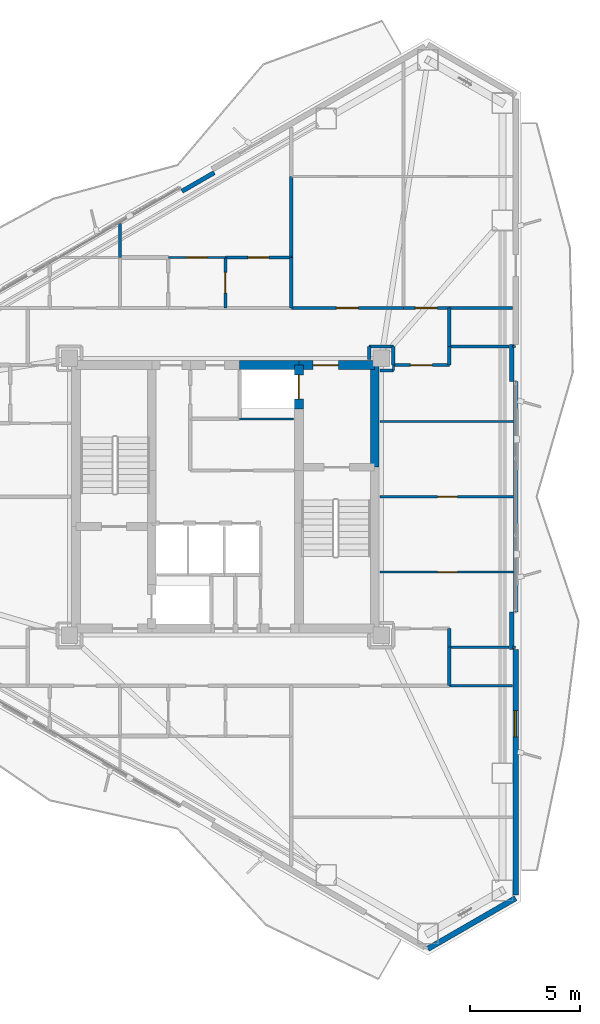
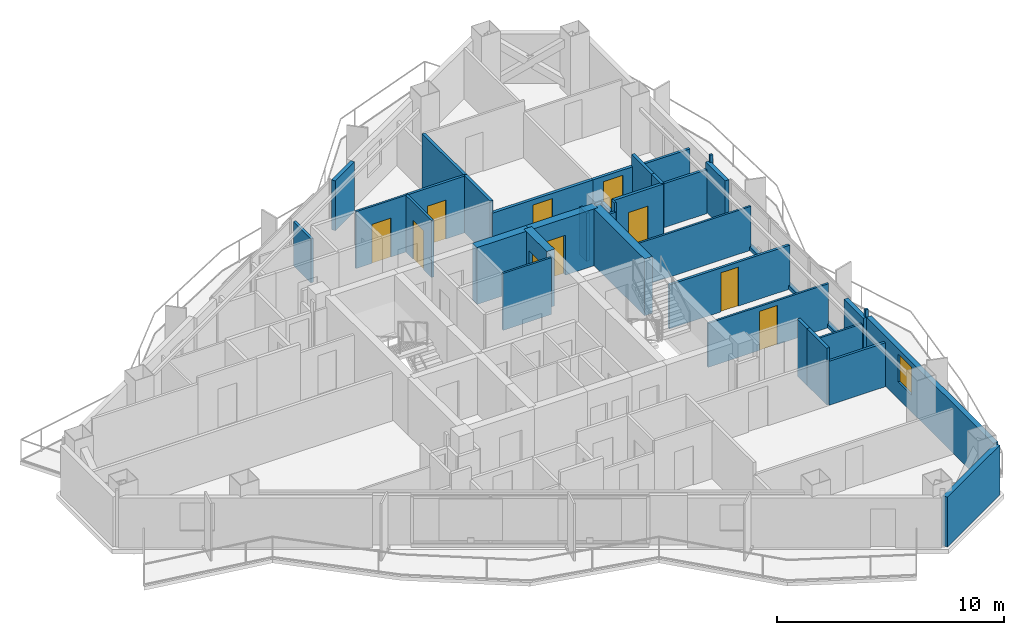
# One storey, part 15 of 18: 38 walls, 10 doors, 1 window, 11 openings.
"""IFC4 building model written with IfcOpenShell, lengths in metres."""

from ifc_helpers import new_model, si_unit, direction, frame, frame_2d, origin, place, context, subcontext, project, spatial, rectangle, extrude, material, layer, layer_set, type_object, element, fill, save


model = new_model("IFC4")

# Units and contexts
model_context = context("Model", 3, precision=1e-05, world=origin(), true_north=direction((0.0, 1.0)))
body_context = subcontext(model_context, "Body", "Model", "MODEL_VIEW")
ifc_project = project(units=[si_unit("LENGTHUNIT", "METRE"), si_unit("AREAUNIT", "SQUARE_METRE"), si_unit("VOLUMEUNIT", "CUBIC_METRE"), si_unit("PLANEANGLEUNIT", "RADIAN"), si_unit("MASSUNIT", "GRAM", prefix="KILO")], contexts=[model_context])

# Site, building, storey
site_placement = place(None, origin())
site = spatial("IfcSite", under=ifc_project, at=site_placement, CompositionType="ELEMENT")
building_placement = place(site_placement, origin())
building = spatial("IfcBuilding", under=site, at=building_placement, Name="Mersakhor Tower and Convention Hall", CompositionType="ELEMENT")
storey_placement = place(building_placement, frame((0.0, 0.0, 154.199951171875)))
storey = spatial("IfcBuildingStorey", under=building, at=storey_placement, Name="L43", CompositionType="ELEMENT", Elevation=154.199951171875)

# Wall
ifc_material_1 = material(Name="Precast concrete C40/50", Category="concrete")
ifc_layer_1 = layer(ifc_material_1, 0.25)
ifc_layer_set_1 = layer_set([ifc_layer_1], Name="Precast concrete C40/50")
wall_type_1 = type_object("IfcWallType", Name="WL-EXT-250", PredefinedType="SOLIDWALL", material=ifc_layer_set_1)
wall_1_placement = place(storey_placement, frame((42.21923828125, 8.470947265625, 0.0), z_axis=(0.0, 0.0, 1.0), x_axis=(-0.866035021055, -0.499983342029, 0.0)))
element("IfcWall", 1, at=wall_1_placement, inside=storey, type_object=wall_type_1, Name="L43 Chamfer Braced Spandrel Wall C2", PredefinedType="SOLIDWALL", context=body_context, shape_type="SweptSolid", body=[
    extrude(rectangle(XDim=4.617431640625, YDim=0.25, at=frame_2d((2.30859375, 0.0))), origin(), (0.0, 0.0, 1.0), 2.679931640625),
])

# Wall, opening, window
wall_2_placement = place(storey_placement, frame((42.21923828125, 19.806884765625, 0.0), z_axis=(0.0, 0.0, 1.0), x_axis=(0.0, -1.0, 0.0)))
wall_2 = element("IfcWall", 2, at=wall_2_placement, inside=storey, type_object=wall_type_1, Name="L43 Exterior Facade Wall F2-B3", PredefinedType="SOLIDWALL", context=body_context, shape_type="SweptSolid", body=[
    extrude(rectangle(XDim=11.185791015625, YDim=0.25, at=frame_2d((5.5927734375, 0.0))), origin(), (0.0, 0.0, 1.0), 2.679931640625),
])
opening_1_placement = place(wall_2_placement, frame((2.7958984375, 0.0, 0.89990234375)))
opening_1 = element("IfcOpeningElement", 3, at=opening_1_placement, cuts=wall_2, Name="Opening W-01", PredefinedType="OPENING", context=body_context, shape_type="SweptSolid", body=[
    extrude(rectangle(XDim=1.199951171875, YDim=1.5, at=frame_2d((0.60009765625, 0.75))), frame((0.0, 0.135009765625, 0.0), z_axis=(0.0, -1.0, 0.0), x_axis=(1.0, 0.0, 0.0)), (0.0, 0.0, 1.0), 0.27001953125),
])
ifc_material_2 = material(Name="Dark solar low-E glazed aluminium window", Category="aluminium")
window_type = type_object("IfcWindowType", Name="WN-RES-120x150", PartitioningType="SINGLE_PANEL", PredefinedType="WINDOW", material=ifc_material_2)
window_placement = place(opening_1_placement, origin())
window = element("IfcWindow", 4, at=window_placement, inside=storey, type_object=window_type, Name="L43 Facade Punched Window F2-B3", OverallHeight=1.5, OverallWidth=1.199951171875, PartitioningType="SINGLE_PANEL", PredefinedType="WINDOW", context=body_context, shape_type="SweptSolid", body=[
    extrude(rectangle(XDim=1.199951171875, YDim=1.5, at=frame_2d((0.60009765625, 0.75))), frame((0.0, 0.030029296875, 0.0), z_axis=(0.0, -1.0, 0.0), x_axis=(1.0, 0.0, 0.0)), (0.0, 0.0, 1.0), 0.06005859375),
])
fill(opening_1, window)

# Walls
ifc_material_3 = material(Name="Precast concrete C40/50", Category="concrete")
ifc_layer_2 = layer(ifc_material_3, 0.199951171875)
ifc_layer_set_2 = layer_set([ifc_layer_2], Name="Precast concrete C40/50")
wall_type_2 = type_object("IfcWallType", Name="WL-PAR-200", PredefinedType="PARAPET", material=ifc_layer_set_2)
wall_3_placement = place(storey_placement, frame((27.02099609375, 40.663818359375, 0.0), z_axis=(0.0, 0.0, 1.0), x_axis=(0.86605165483, 0.499954529098, 0.0)))
element("IfcWall", 5, at=wall_3_placement, inside=storey, type_object=wall_type_2, Name="L43 Column Pier Cladding Wall F1-C2", PredefinedType="PARAPET", context=body_context, shape_type="SweptSolid", body=[
    extrude(rectangle(XDim=1.699951171875, YDim=0.199951171875, at=frame_2d((0.85009765625, 0.0))), origin(), (0.0, 0.0, 1.0), 2.679931640625),
])
wall_4_placement = place(storey_placement, frame((42.21923828125, 31.992919921875, 0.0), z_axis=(0.0, 0.0, 1.0), x_axis=(0.0, -1.0, 0.0)))
element("IfcWall", 6, at=wall_4_placement, inside=storey, type_object=wall_type_2, Name="L43 Curtain Wall Upstand Sill F2-B2", PredefinedType="PARAPET", context=body_context, shape_type="SweptSolid", body=[
    extrude(rectangle(XDim=10.48583984375, YDim=0.199951171875, at=frame_2d((5.242919921875, 0.0))), origin(), (0.0, 0.0, 1.0), 0.199951171875),
])
for number, where, z_axis, x_axis, name in (
    (7, (42.039306640625, 33.693115234375, 0.0), (0.0, 0.0, 1.0), (0.0, -1.0, 0.0), "L43 Column Pier Cladding Wall F2-C1"),
    (8, (42.039306640625, 21.507080078125, 0.0), (0.0, 0.0, 1.0), (0.0, -1.0, 0.0), "L43 Column Pier Cladding Wall F2-C2"),
):
    element("IfcWall", number, at=place(storey_placement, frame(where, z_axis=z_axis, x_axis=x_axis)), inside=storey, type_object=wall_type_2, Name=name, PredefinedType="PARAPET", context=body_context, shape_type="SweptSolid", body=[
        extrude(rectangle(XDim=1.7001953125, YDim=0.199951171875, at=frame_2d((0.85009765625, 0.0))), origin(), (0.0, 0.0, 1.0), 2.679931640625),
    ])
ifc_material_4 = material(Name="Lightweight gypsum partition", Category="other")
ifc_layer_3 = layer(ifc_material_4, 0.10009765625)
ifc_layer_set_3 = layer_set([ifc_layer_3], Name="Lightweight gypsum partition")
wall_type_3 = type_object("IfcWallType", Name="WL-PRT-100", PredefinedType="PARTITIONING", material=ifc_layer_set_3)
wall_5_placement = place(storey_placement, frame((32.10009765625, 30.300048828125, 0.0), z_axis=(0.0, 0.0, 1.0), x_axis=(-1.0, 0.0, 0.0)))
element("IfcWall", 9, at=wall_5_placement, inside=storey, type_object=wall_type_3, Name="L43 Interior Partition Wall P-004", PredefinedType="PARTITIONING", context=body_context, shape_type="SweptSolid", body=[
    extrude(rectangle(XDim=2.4501953125, YDim=0.10009765625, at=frame_2d((1.22509765625, 0.0))), origin(), (0.0, 0.0, 1.0), 3.06005859375),
])

# Wall, opening, door
wall_6_placement = place(storey_placement, frame((26.39990234375, 37.64990234375, 0.0), z_axis=(0.0, 0.0, 1.0), x_axis=(1.0, 0.0, 0.0)))
wall_6 = element("IfcWall", 10, at=wall_6_placement, inside=storey, type_object=wall_type_3, Name="L43 Interior Partition Wall P-052", PredefinedType="PARTITIONING", context=body_context, shape_type="SweptSolid", body=[
    extrude(rectangle(XDim=2.60009765625, YDim=0.10009765625, at=frame_2d((1.300048828125, 0.0))), origin(), (0.0, 0.0, 1.0), 3.06005859375),
])
opening_2_placement = place(wall_6_placement, frame((0.824951171875, 0.0, 0.0)))
opening_2 = element("IfcOpeningElement", 11, at=opening_2_placement, cuts=wall_6, Name="Opening RD-01", PredefinedType="OPENING", context=body_context, shape_type="SweptSolid", body=[
    extrude(rectangle(XDim=0.949951171875, YDim=2.10009765625, at=frame_2d((0.47509765625, 1.050048828125))), frame((0.0, 0.06005859375, 0.0), z_axis=(0.0, -1.0, 0.0), x_axis=(1.0, 0.0, 0.0)), (0.0, 0.0, 1.0), 0.1201171875),
])
ifc_material_5 = material(Name="Solid-core hardwood leaf in painted steel frame", Category="steel")
door_type_1 = type_object("IfcDoorType", Name="DR-INT-RM-095x210", OperationType="NOTDEFINED", PredefinedType="DOOR", material=ifc_material_5)
door_1_placement = place(opening_2_placement, origin())
door_1 = element("IfcDoor", 12, at=door_1_placement, inside=storey, type_object=door_type_1, Name="L43 L43 Flat N2 Apartment Hall to L43 Flat N2 Studio Living and Sleeping Room Door", OperationType="SINGLE_SWING_RIGHT", OverallHeight=2.10009765625, OverallWidth=0.949951171875, PredefinedType="DOOR", context=body_context, shape_type="SweptSolid", body=[
    extrude(rectangle(XDim=0.949951171875, YDim=2.10009765625, at=frame_2d((0.47509765625, 1.050048828125))), frame((0.0, 0.02490234375, 0.0), z_axis=(0.0, -1.0, 0.0), x_axis=(1.0, 0.0, 0.0)), (0.0, 0.0, 1.0), 0.050048828125),
])
fill(opening_2, door_1)

wall_7_placement = place(storey_placement, frame((36.050048828125, 23.320068359375, 0.0), z_axis=(0.0, 0.0, 1.0), x_axis=(1.0, 0.0, 0.0)))
wall_7 = element("IfcWall", 13, at=wall_7_placement, inside=storey, type_object=wall_type_3, Name="L43 Interior Partition Wall P-098", PredefinedType="PARTITIONING", context=body_context, shape_type="SweptSolid", body=[
    extrude(rectangle(XDim=6.131103515625, YDim=0.10009765625, at=frame_2d((3.0654296875, 0.0))), origin(), (0.0, 0.0, 1.0), 2.364990234375),
])
opening_3_placement = place(wall_7_placement, frame((2.615478515625, 0.0, 0.0)))
opening_3 = element("IfcOpeningElement", 14, at=opening_3_placement, cuts=wall_7, Name="Opening WD-01", PredefinedType="OPENING", context=body_context, shape_type="SweptSolid", body=[
    extrude(rectangle(XDim=0.89990234375, YDim=2.10009765625, at=frame_2d((0.449951171875, 1.050048828125))), frame((0.0, 0.06005859375, 0.0), z_axis=(0.0, -1.0, 0.0), x_axis=(1.0, 0.0, 0.0)), (0.0, 0.0, 1.0), 0.1201171875),
])
ifc_material_6 = material(Name="Solid-core hardwood leaf in painted steel frame", Category="steel")
door_type_2 = type_object("IfcDoorType", Name="DR-INT-WET-090x210", OperationType="NOTDEFINED", PredefinedType="DOOR", material=ifc_material_6)
door_2_placement = place(opening_3_placement, origin())
door_2 = element("IfcDoor", 15, at=door_2_placement, inside=storey, type_object=door_type_2, Name="L43 L43 East Wing Shared Study Room to L43 East Wing Shared Study Room Annex Door", OperationType="SINGLE_SWING_RIGHT", OverallHeight=2.10009765625, OverallWidth=0.89990234375, PredefinedType="DOOR", context=body_context, shape_type="SweptSolid", body=[
    extrude(rectangle(XDim=0.89990234375, YDim=2.10009765625, at=frame_2d((0.449951171875, 1.050048828125))), frame((0.0, 0.02490234375, 0.0), z_axis=(0.0, -1.0, 0.0), x_axis=(1.0, 0.0, 0.0)), (0.0, 0.0, 1.0), 0.050048828125),
])
fill(opening_3, door_2)

# Walls
wall_8_placement = place(storey_placement, frame((41.915283203125, 19.89990234375, 0.0), z_axis=(0.0, 0.0, 1.0), x_axis=(-1.0, 0.0, 0.0)))
element("IfcWall", 16, at=wall_8_placement, inside=storey, type_object=wall_type_3, Name="L43 Interior Partition Wall P-100", PredefinedType="PARTITIONING", context=body_context, shape_type="SweptSolid", body=[
    extrude(rectangle(XDim=2.71533203125, YDim=0.10009765625, at=frame_2d((1.357666015625, 0.0))), origin(), (0.0, 0.0, 1.0), 2.364990234375),
])
wall_9_placement = place(storey_placement, frame((36.050048828125, 30.179931640625, 0.0), z_axis=(0.0, 0.0, 1.0), x_axis=(1.0, 0.0, 0.0)))
element("IfcWall", 17, at=wall_9_placement, inside=storey, type_object=wall_type_3, Name="L43 Interior Partition Wall P-102", PredefinedType="PARTITIONING", context=body_context, shape_type="SweptSolid", body=[
    extrude(rectangle(XDim=6.131103515625, YDim=0.10009765625, at=frame_2d((3.0654296875, 0.0))), origin(), (0.0, 0.0, 1.0), 2.364990234375),
])
wall_10_placement = place(storey_placement, frame((42.07421875, 33.60009765625, 0.0), z_axis=(0.0, 0.0, 1.0), x_axis=(1.0, 0.0, 0.0)))
element("IfcWall", 18, at=wall_10_placement, inside=storey, type_object=wall_type_3, Name="L43 Interior Partition Wall P-104", PredefinedType="PARTITIONING", context=body_context, shape_type="SweptSolid", body=[
    extrude(rectangle(XDim=0.144775390625, YDim=0.10009765625, at=frame_2d((0.072265625, 0.0))), origin(), (0.0, 0.0, 1.0), 3.06005859375),
])
wall_11_placement = place(storey_placement, frame((36.64990234375, 32.5, 0.0), z_axis=(0.0, 0.0, 1.0), x_axis=(0.0, 1.0, 0.0)))
element("IfcWall", 19, at=wall_11_placement, inside=storey, type_object=wall_type_3, Name="L43 Interior Partition Wall P-106", PredefinedType="PARTITIONING", context=body_context, shape_type="SweptSolid", body=[
    extrude(rectangle(XDim=0.25, YDim=0.10009765625, at=frame_2d((0.125, 0.0))), origin(), (0.0, 0.0, 1.0), 3.06005859375),
])

# Wall, opening, door
ifc_material_7 = material(Name="Gypsum board acoustic partition", Category="other")
ifc_layer_4 = layer(ifc_material_7, 0.125)
ifc_layer_set_4 = layer_set([ifc_layer_4], Name="Gypsum board acoustic partition")
wall_type_4 = type_object("IfcWallType", Name="WL-PRT-125", PredefinedType="PARTITIONING", material=ifc_layer_set_4)
wall_12_placement = place(storey_placement, frame((29.0, 37.64990234375, 0.0), z_axis=(0.0, 0.0, 1.0), x_axis=(0.0, -1.0, 0.0)))
wall_12 = element("IfcWall", 20, at=wall_12_placement, inside=storey, type_object=wall_type_4, Name="L43 Interior Partition Wall P-053", PredefinedType="PARTITIONING", context=body_context, shape_type="SweptSolid", body=[
    extrude(rectangle(XDim=2.2998046875, YDim=0.125, at=frame_2d((1.14990234375, 0.0))), origin(), (0.0, 0.0, 1.0), 3.06005859375),
])
opening_4_placement = place(wall_12_placement, frame((0.675048828125, 0.0, 0.0)))
opening_4 = element("IfcOpeningElement", 21, at=opening_4_placement, cuts=wall_12, Name="Opening RD-01", PredefinedType="OPENING", context=body_context, shape_type="SweptSolid", body=[
    extrude(rectangle(XDim=0.949951171875, YDim=2.10009765625, at=frame_2d((0.47509765625, 1.050048828125))), frame((0.0, 0.072509765625, 0.0), z_axis=(0.0, -1.0, 0.0), x_axis=(1.0, 0.0, 0.0)), (0.0, 0.0, 1.0), 0.14501953125),
])
door_3_placement = place(opening_4_placement, origin())
door_3 = element("IfcDoor", 22, at=door_3_placement, inside=storey, type_object=door_type_1, Name="L43 L43 Flat N2 Apartment Hall to L43 Flat N2 Kitchen Door", OperationType="SINGLE_SWING_LEFT", OverallHeight=2.10009765625, OverallWidth=0.949951171875, PredefinedType="DOOR", context=body_context, shape_type="SweptSolid", body=[
    extrude(rectangle(XDim=0.949951171875, YDim=2.10009765625, at=frame_2d((0.47509765625, 1.050048828125))), frame((0.0, 0.02490234375, 0.0), z_axis=(0.0, -1.0, 0.0), x_axis=(1.0, 0.0, 0.0)), (0.0, 0.0, 1.0), 0.050048828125),
])
fill(opening_4, door_3)

wall_13_placement = place(storey_placement, frame((29.0, 37.64990234375, 0.0), z_axis=(0.0, 0.0, 1.0), x_axis=(1.0, 0.0, 0.0)))
wall_13 = element("IfcWall", 23, at=wall_13_placement, inside=storey, type_object=wall_type_4, Name="L43 Interior Partition Wall P-065", PredefinedType="PARTITIONING", context=body_context, shape_type="SweptSolid", body=[
    extrude(rectangle(XDim=3.0, YDim=0.125, at=frame_2d((1.5, 0.0))), origin(), (0.0, 0.0, 1.0), 3.06005859375),
])
opening_5_placement = place(wall_13_placement, frame((1.02490234375, 0.0, 0.0)))
opening_5 = element("IfcOpeningElement", 24, at=opening_5_placement, cuts=wall_13, Name="Opening RD-01", PredefinedType="OPENING", context=body_context, shape_type="SweptSolid", body=[
    extrude(rectangle(XDim=0.949951171875, YDim=2.10009765625, at=frame_2d((0.47509765625, 1.050048828125))), frame((0.0, 0.072509765625, 0.0), z_axis=(0.0, -1.0, 0.0), x_axis=(1.0, 0.0, 0.0)), (0.0, 0.0, 1.0), 0.14501953125),
])
door_4_placement = place(opening_5_placement, origin())
door_4 = element("IfcDoor", 25, at=door_4_placement, inside=storey, type_object=door_type_1, Name="L43 L43 Flat N2 Kitchen to L43 Flat N2 Studio Living and Sleeping Room Door", OperationType="SINGLE_SWING_RIGHT", OverallHeight=2.10009765625, OverallWidth=0.949951171875, PredefinedType="DOOR", context=body_context, shape_type="SweptSolid", body=[
    extrude(rectangle(XDim=0.949951171875, YDim=2.10009765625, at=frame_2d((0.47509765625, 1.050048828125))), frame((0.0, 0.02490234375, 0.0), z_axis=(0.0, -1.0, 0.0), x_axis=(1.0, 0.0, 0.0)), (0.0, 0.0, 1.0), 0.050048828125),
])
fill(opening_5, door_4)

# Walls
for number, where, z_axis, x_axis, name in (
    (26, (42.0703125, 35.35009765625, 0.0), (0.0, 0.0, 1.0), (-1.0, 0.0, 0.0), "L43 Interior Partition Wall P-083"),
    (27, (39.199951171875, 18.14990234375, 0.0), (0.0, 0.0, 1.0), (1.0, 0.0, 0.0), "L43 Interior Partition Wall P-089"),
):
    element("IfcWall", number, at=place(storey_placement, frame(where, z_axis=z_axis, x_axis=x_axis)), inside=storey, type_object=wall_type_4, Name=name, PredefinedType="PARTITIONING", context=body_context, shape_type="SweptSolid", body=[
        extrude(rectangle(XDim=2.870361328125, YDim=0.125, at=frame_2d((1.43505859375, 0.0))), origin(), (0.0, 0.0, 1.0), 2.364990234375),
    ])
wall_14_placement = place(storey_placement, frame((42.218994140625, 19.89990234375, 0.0), z_axis=(0.0, 0.0, 1.0), x_axis=(-1.0, 0.0, 0.0)))
element("IfcWall", 28, at=wall_14_placement, inside=storey, type_object=wall_type_4, Name="L43 Interior Partition Wall P-099", PredefinedType="PARTITIONING", context=body_context, shape_type="SweptSolid", body=[
    extrude(rectangle(XDim=0.144775390625, YDim=0.125, at=frame_2d((0.072265625, 0.0))), origin(), (0.0, 0.0, 1.0), 3.06005859375),
])

# Wall, opening, door
wall_15_placement = place(storey_placement, frame((36.050048828125, 26.75, 0.0), z_axis=(0.0, 0.0, 1.0), x_axis=(1.0, 0.0, 0.0)))
wall_15 = element("IfcWall", 29, at=wall_15_placement, inside=storey, type_object=wall_type_4, Name="L43 Interior Partition Wall P-101", PredefinedType="PARTITIONING", context=body_context, shape_type="SweptSolid", body=[
    extrude(rectangle(XDim=6.131103515625, YDim=0.125, at=frame_2d((3.0654296875, 0.0))), origin(), (0.0, 0.0, 1.0), 2.364990234375),
])
opening_6_placement = place(wall_15_placement, frame((2.615478515625, 0.0, 0.0)))
opening_6 = element("IfcOpeningElement", 30, at=opening_6_placement, cuts=wall_15, Name="Opening WD-01", PredefinedType="OPENING", context=body_context, shape_type="SweptSolid", body=[
    extrude(rectangle(XDim=0.89990234375, YDim=2.10009765625, at=frame_2d((0.449951171875, 1.050048828125))), frame((0.0, 0.072509765625, 0.0), z_axis=(0.0, -1.0, 0.0), x_axis=(1.0, 0.0, 0.0)), (0.0, 0.0, 1.0), 0.14501953125),
])
door_5_placement = place(opening_6_placement, origin())
door_5 = element("IfcDoor", 31, at=door_5_placement, inside=storey, type_object=door_type_2, Name="L43 L43 East Wing Shared Study Room Annex to L43 East Wing Shared Study Room Annex Door", OperationType="SINGLE_SWING_LEFT", OverallHeight=2.10009765625, OverallWidth=0.89990234375, PredefinedType="DOOR", context=body_context, shape_type="SweptSolid", body=[
    extrude(rectangle(XDim=0.89990234375, YDim=2.10009765625, at=frame_2d((0.449951171875, 1.050048828125))), frame((0.0, 0.02490234375, 0.0), z_axis=(0.0, -1.0, 0.0), x_axis=(1.0, 0.0, 0.0)), (0.0, 0.0, 1.0), 0.050048828125),
])
fill(opening_6, door_5)

# Walls
wall_16_placement = place(storey_placement, frame((39.199951171875, 33.60009765625, 0.0), z_axis=(0.0, 0.0, 1.0), x_axis=(1.0, 0.0, 0.0)))
element("IfcWall", 32, at=wall_16_placement, inside=storey, type_object=wall_type_4, Name="L43 Interior Partition Wall P-103", PredefinedType="PARTITIONING", context=body_context, shape_type="SweptSolid", body=[
    extrude(rectangle(XDim=2.71533203125, YDim=0.125, at=frame_2d((1.357666015625, 0.0))), origin(), (0.0, 0.0, 1.0), 2.364990234375),
])
wall_17_placement = place(storey_placement, frame((36.050048828125, 32.5, 0.0), z_axis=(0.0, 0.0, 1.0), x_axis=(1.0, 0.0, 0.0)))
element("IfcWall", 33, at=wall_17_placement, inside=storey, type_object=wall_type_4, Name="L43 Interior Partition Wall P-105", PredefinedType="PARTITIONING", context=body_context, shape_type="SweptSolid", body=[
    extrude(rectangle(XDim=0.599853515625, YDim=0.125, at=frame_2d((0.2998046875, 0.0))), origin(), (0.0, 0.0, 1.0), 2.5849609375),
])
wall_18_placement = place(storey_placement, frame((24.199951171875, 37.64990234375, 0.0), z_axis=(0.0, 0.0, 1.0), x_axis=(0.0, 1.0, 0.0)))
element("IfcWall", 34, at=wall_18_placement, inside=storey, type_object=wall_type_4, Name="L43 Interior Partition Wall P-111", PredefinedType="PARTITIONING", context=body_context, shape_type="SweptSolid", body=[
    extrude(rectangle(XDim=1.549072265625, YDim=0.125, at=frame_2d((0.7744140625, 0.0))), origin(), (0.0, 0.0, 1.0), 2.364990234375),
])
ifc_material_8 = material(Name="Fire-rated gypsum board stud partition", Category="other")
ifc_layer_5 = layer(ifc_material_8, 0.14990234375)
ifc_layer_set_5 = layer_set([ifc_layer_5], Name="Fire-rated gypsum board stud partition")
wall_type_5 = type_object("IfcWallType", Name="WL-PRT-150", PredefinedType="PARTITIONING", material=ifc_layer_set_5)
wall_19_placement = place(storey_placement, frame((35.550048828125, 33.60009765625, 0.0), z_axis=(0.0, 0.0, 1.0), x_axis=(0.0, -1.0, 0.0)))
element("IfcWall", 35, at=wall_19_placement, inside=storey, type_object=wall_type_5, Name="L43 Interior Partition Wall P-016", PredefinedType="PARTITIONING", context=body_context, shape_type="SweptSolid", body=[
    extrude(rectangle(XDim=0.60009765625, YDim=0.14990234375, at=frame_2d((0.300048828125, 0.0))), origin(), (0.0, 0.0, 1.0), 2.5849609375),
])

# Wall, opening, door
wall_20_placement = place(storey_placement, frame((32.0, 35.35009765625, 0.0), z_axis=(0.0, 0.0, 1.0), x_axis=(1.0, 0.0, 0.0)))
wall_20 = element("IfcWall", 36, at=wall_20_placement, inside=storey, type_object=wall_type_5, Name="L43 Interior Partition Wall P-027", PredefinedType="PARTITIONING", context=body_context, shape_type="SweptSolid", body=[
    extrude(rectangle(XDim=5.110107421875, YDim=0.14990234375, at=frame_2d((2.55517578125, 0.0))), origin(), (0.0, 0.0, 1.0), 2.432861328125),
])
opening_7_placement = place(wall_20_placement, frame((2.054931640625, 0.0, 0.0)))
opening_7 = element("IfcOpeningElement", 37, at=opening_7_placement, cuts=wall_20, Name="Opening FD-01", PredefinedType="OPENING", context=body_context, shape_type="SweptSolid", body=[
    extrude(rectangle(XDim=1.0, YDim=2.14990234375, at=frame_2d((0.5, 1.074951171875))), frame((0.0, 0.0849609375, 0.0), z_axis=(0.0, -1.0, 0.0), x_axis=(1.0, 0.0, 0.0)), (0.0, 0.0, 1.0), 0.169921875),
])
ifc_material_9 = material(Name="Fire-rated hardwood leaf and painted steel frame", Category="steel")
door_type_3 = type_object("IfcDoorType", Name="DR-INT-FLT-100x215", OperationType="NOTDEFINED", PredefinedType="DOOR", material=ifc_material_9)
door_6_placement = place(opening_7_placement, origin())
door_6 = element("IfcDoor", 38, at=door_6_placement, inside=storey, type_object=door_type_3, Name="L43 Residential North Gallery Corridor to L43 North-East Residents Study Room Door", OperationType="SINGLE_SWING_LEFT", OverallHeight=2.14990234375, OverallWidth=1.0, PredefinedType="DOOR", context=body_context, shape_type="SweptSolid", body=[
    extrude(rectangle(XDim=1.0, YDim=2.14990234375, at=frame_2d((0.5, 1.074951171875))), frame((0.0, 0.02490234375, 0.0), z_axis=(0.0, -1.0, 0.0), x_axis=(1.0, 0.0, 0.0)), (0.0, 0.0, 1.0), 0.050048828125),
])
fill(opening_7, door_6)

wall_21_placement = place(storey_placement, frame((37.110107421875, 35.35009765625, 0.0), z_axis=(0.0, 0.0, 1.0), x_axis=(1.0, 0.0, 0.0)))
wall_21 = element("IfcWall", 39, at=wall_21_placement, inside=storey, type_object=wall_type_5, Name="L43 Interior Partition Wall P-028", PredefinedType="PARTITIONING", context=body_context, shape_type="SweptSolid", body=[
    extrude(rectangle(XDim=2.08984375, YDim=0.14990234375, at=frame_2d((1.044921875, 0.0))), origin(), (0.0, 0.0, 1.0), 2.432861328125),
])
opening_8_placement = place(wall_21_placement, frame((0.544921875, 0.0, 0.0)))
opening_8 = element("IfcOpeningElement", 40, at=opening_8_placement, cuts=wall_21, Name="Opening FD-01", PredefinedType="OPENING", context=body_context, shape_type="SweptSolid", body=[
    extrude(rectangle(XDim=1.0, YDim=2.14990234375, at=frame_2d((0.5, 1.074951171875))), frame((0.0, 0.0849609375, 0.0), z_axis=(0.0, -1.0, 0.0), x_axis=(1.0, 0.0, 0.0)), (0.0, 0.0, 1.0), 0.169921875),
])
door_7_placement = place(opening_8_placement, origin())
door_7 = element("IfcDoor", 41, at=door_7_placement, inside=storey, type_object=door_type_3, Name="L43 Residential North Gallery Corridor to L43 North-East Residents Study Room Annex Door", OperationType="SINGLE_SWING_RIGHT", OverallHeight=2.14990234375, OverallWidth=1.0, PredefinedType="DOOR", context=body_context, shape_type="SweptSolid", body=[
    extrude(rectangle(XDim=1.0, YDim=2.14990234375, at=frame_2d((0.5, 1.074951171875))), frame((0.0, 0.02490234375, 0.0), z_axis=(0.0, -1.0, 0.0), x_axis=(1.0, 0.0, 0.0)), (0.0, 0.0, 1.0), 0.050048828125),
])
fill(opening_8, door_7)

# Walls
wall_22_placement = place(storey_placement, frame((39.199951171875, 35.35009765625, 0.0), z_axis=(0.0, 0.0, 1.0), x_axis=(0.0, -1.0, 0.0)))
element("IfcWall", 42, at=wall_22_placement, inside=storey, type_object=wall_type_5, Name="L43 Interior Partition Wall P-029", PredefinedType="PARTITIONING", context=body_context, shape_type="SweptSolid", body=[
    extrude(rectangle(XDim=1.75, YDim=0.14990234375, at=frame_2d((0.875, 0.0))), origin(), (0.0, 0.0, 1.0), 3.06005859375),
])
wall_23_placement = place(storey_placement, frame((39.199951171875, 33.60009765625, 0.0), z_axis=(0.0, 0.0, 1.0), x_axis=(0.0, -1.0, 0.0)))
element("IfcWall", 43, at=wall_23_placement, inside=storey, type_object=wall_type_5, Name="L43 Interior Partition Wall P-030", PredefinedType="PARTITIONING", context=body_context, shape_type="SweptSolid", body=[
    extrude(rectangle(XDim=0.85009765625, YDim=0.14990234375, at=frame_2d((0.425048828125, 0.0))), origin(), (0.0, 0.0, 1.0), 3.06005859375),
])

# Wall, opening, door
wall_24_placement = place(storey_placement, frame((39.199951171875, 32.75, 0.0), z_axis=(0.0, 0.0, 1.0), x_axis=(-1.0, 0.0, 0.0)))
wall_24 = element("IfcWall", 44, at=wall_24_placement, inside=storey, type_object=wall_type_5, Name="L43 Interior Partition Wall P-031", PredefinedType="PARTITIONING", context=body_context, shape_type="SweptSolid", body=[
    extrude(rectangle(XDim=2.550048828125, YDim=0.14990234375, at=frame_2d((1.27490234375, 0.0))), origin(), (0.0, 0.0, 1.0), 3.06005859375),
])
opening_9_placement = place(wall_24_placement, frame((0.77490234375, 0.0, 0.0)))
opening_9 = element("IfcOpeningElement", 45, at=opening_9_placement, cuts=wall_24, Name="Opening FD-01", PredefinedType="OPENING", context=body_context, shape_type="SweptSolid", body=[
    extrude(rectangle(XDim=1.0, YDim=2.14990234375, at=frame_2d((0.5, 1.074951171875))), frame((0.0, 0.0849609375, 0.0), z_axis=(0.0, -1.0, 0.0), x_axis=(1.0, 0.0, 0.0)), (0.0, 0.0, 1.0), 0.169921875),
])
door_8_placement = place(opening_9_placement, origin())
door_8 = element("IfcDoor", 46, at=door_8_placement, inside=storey, type_object=door_type_3, Name="L43 Residential North Gallery Corridor to L43 East Wing Shared Study Room Annex Annex Door", OperationType="SINGLE_SWING_LEFT", OverallHeight=2.14990234375, OverallWidth=1.0, PredefinedType="DOOR", context=body_context, shape_type="SweptSolid", body=[
    extrude(rectangle(XDim=1.0, YDim=2.14990234375, at=frame_2d((0.5, 1.074951171875))), frame((0.0, 0.02490234375, 0.0), z_axis=(0.0, -1.0, 0.0), x_axis=(1.0, 0.0, 0.0)), (0.0, 0.0, 1.0), 0.050048828125),
])
fill(opening_9, door_8)

# Walls
wall_25_placement = place(storey_placement, frame((36.64990234375, 32.75, 0.0), z_axis=(0.0, 0.0, 1.0), x_axis=(0.0, 1.0, 0.0)))
element("IfcWall", 47, at=wall_25_placement, inside=storey, type_object=wall_type_5, Name="L43 Interior Partition Wall P-032", PredefinedType="PARTITIONING", context=body_context, shape_type="SweptSolid", body=[
    extrude(rectangle(XDim=0.85009765625, YDim=0.14990234375, at=frame_2d((0.425048828125, 0.0))), origin(), (0.0, 0.0, 1.0), 2.432861328125),
])
wall_26_placement = place(storey_placement, frame((36.64990234375, 33.60009765625, 0.0), z_axis=(0.0, 0.0, 1.0), x_axis=(-1.0, 0.0, 0.0)))
element("IfcWall", 48, at=wall_26_placement, inside=storey, type_object=wall_type_5, Name="L43 Interior Partition Wall P-033", PredefinedType="PARTITIONING", context=body_context, shape_type="SweptSolid", body=[
    extrude(rectangle(XDim=1.099853515625, YDim=0.14990234375, at=frame_2d((0.5498046875, 0.0))), origin(), (0.0, 0.0, 1.0), 2.432861328125),
])
wall_27_placement = place(storey_placement, frame((39.199951171875, 20.75, 0.0), z_axis=(0.0, 0.0, 1.0), x_axis=(0.0, -1.0, 0.0)))
element("IfcWall", 49, at=wall_27_placement, inside=storey, type_object=wall_type_5, Name="L43 Interior Partition Wall P-039", PredefinedType="PARTITIONING", context=body_context, shape_type="SweptSolid", body=[
    extrude(rectangle(XDim=0.85009765625, YDim=0.14990234375, at=frame_2d((0.425048828125, 0.0))), origin(), (0.0, 0.0, 1.0), 3.06005859375),
])
wall_28_placement = place(storey_placement, frame((39.199951171875, 19.89990234375, 0.0), z_axis=(0.0, 0.0, 1.0), x_axis=(0.0, -1.0, 0.0)))
element("IfcWall", 50, at=wall_28_placement, inside=storey, type_object=wall_type_5, Name="L43 Interior Partition Wall P-040", PredefinedType="PARTITIONING", context=body_context, shape_type="SweptSolid", body=[
    extrude(rectangle(XDim=1.75, YDim=0.14990234375, at=frame_2d((0.875, 0.0))), origin(), (0.0, 0.0, 1.0), 3.06005859375),
])
wall_29_placement = place(storey_placement, frame((32.0, 37.64990234375, 0.0), z_axis=(0.0, 0.0, 1.0), x_axis=(0.0, -1.0, 0.0)))
element("IfcWall", 51, at=wall_29_placement, inside=storey, type_object=wall_type_5, Name="L43 Interior Partition Wall P-066", PredefinedType="PARTITIONING", context=body_context, shape_type="SweptSolid", body=[
    extrude(rectangle(XDim=2.2998046875, YDim=0.14990234375, at=frame_2d((1.14990234375, 0.0))), origin(), (0.0, 0.0, 1.0), 3.06005859375),
])
wall_30_placement = place(storey_placement, frame((32.0, 37.64990234375, 0.0), z_axis=(0.0, 0.0, 1.0), x_axis=(0.0, 1.0, 0.0)))
element("IfcWall", 52, at=wall_30_placement, inside=storey, type_object=wall_type_5, Name="L43 Interior Partition Wall P-079", PredefinedType="PARTITIONING", context=body_context, shape_type="SweptSolid", body=[
    extrude(rectangle(XDim=3.690185546875, YDim=0.14990234375, at=frame_2d((1.84521484375, 0.0))), origin(), (0.0, 0.0, 1.0), 3.06005859375),
])
ifc_material_10 = material(Name="Concrete C60/75", Category="concrete")
ifc_layer_6 = layer(ifc_material_10, 0.39990234375)
ifc_layer_set_6 = layer_set([ifc_layer_6], Name="Concrete C60/75")
wall_type_6 = type_object("IfcWallType", Name="WL-SHR-400", PredefinedType="SHEAR", material=ifc_layer_set_6)
wall_31_placement = place(storey_placement, frame((29.64990234375, 32.75, 0.0), z_axis=(0.0, 0.0, 1.0), x_axis=(1.0, 0.0, 0.0)))
element("IfcWall", 53, at=wall_31_placement, inside=storey, type_object=wall_type_6, Name="L43 Core Wall CW-N3", PredefinedType="SHEAR", context=body_context, shape_type="SweptSolid", body=[
    extrude(rectangle(XDim=2.7001953125, YDim=0.39990234375, at=frame_2d((1.35009765625, 0.0))), origin(), (0.0, 0.0, 1.0), 3.06005859375),
])

# Wall, opening, door
wall_32_placement = place(storey_placement, frame((32.35009765625, 32.75, 0.0), z_axis=(0.0, 0.0, 1.0), x_axis=(1.0, 0.0, 0.0)))
wall_32 = element("IfcWall", 54, at=wall_32_placement, inside=storey, type_object=wall_type_6, Name="L43 Core Wall CW-N4", PredefinedType="SHEAR", context=body_context, shape_type="SweptSolid", body=[
    extrude(rectangle(XDim=3.449951171875, YDim=0.39990234375, at=frame_2d((1.72509765625, 0.0))), origin(), (0.0, 0.0, 1.0), 3.06005859375),
])
opening_10_placement = place(wall_32_placement, frame((0.64990234375, 0.0, 0.0)))
opening_10 = element("IfcOpeningElement", 55, at=opening_10_placement, cuts=wall_32, Name="Opening SD-01", PredefinedType="OPENING", context=body_context, shape_type="SweptSolid", body=[
    extrude(rectangle(XDim=1.14990234375, YDim=2.14990234375, at=frame_2d((0.574951171875, 1.074951171875))), frame((0.0, 0.2099609375, 0.0), z_axis=(0.0, -1.0, 0.0), x_axis=(1.0, 0.0, 0.0)), (0.0, 0.0, 1.0), 0.419921875),
])
ifc_material_11 = material(Name="Fire-rated hardwood leaf and painted steel frame", Category="steel")
door_type_4 = type_object("IfcDoorType", Name="DR-INT-STAIR-115x215", OperationType="NOTDEFINED", PredefinedType="DOOR", material=ifc_material_11)
door_9_placement = place(opening_10_placement, origin())
door_9 = element("IfcDoor", 56, at=door_9_placement, inside=storey, type_object=door_type_4, Name="L43 Firefighting Lobby East Fire Door", OperationType="SINGLE_SWING_RIGHT", OverallHeight=2.14990234375, OverallWidth=1.14990234375, PredefinedType="DOOR", context=body_context, shape_type="SweptSolid", body=[
    extrude(rectangle(XDim=1.14990234375, YDim=2.14990234375, at=frame_2d((0.574951171875, 1.074951171875))), frame((0.0, 0.02490234375, 0.0), z_axis=(0.0, -1.0, 0.0), x_axis=(1.0, 0.0, 0.0)), (0.0, 0.0, 1.0), 0.050048828125),
])
fill(opening_10, door_9)

# Wall
wall_33_placement = place(storey_placement, frame((35.800048828125, 32.75, 0.0), z_axis=(0.0, 0.0, 1.0), x_axis=(0.0, -1.0, 0.0)))
element("IfcWall", 57, at=wall_33_placement, inside=storey, type_object=wall_type_6, Name="L43 Core Wall CW-E1", PredefinedType="SHEAR", context=body_context, shape_type="SweptSolid", body=[
    extrude(rectangle(XDim=4.64990234375, YDim=0.39990234375, at=frame_2d((2.324951171875, 0.0))), origin(), (0.0, 0.0, 1.0), 3.06005859375),
])

# Wall, opening, door
wall_34_placement = place(storey_placement, frame((32.35009765625, 30.75, 0.0), z_axis=(0.0, 0.0, 1.0), x_axis=(0.0, 1.0, 0.0)))
wall_34 = element("IfcWall", 58, at=wall_34_placement, inside=storey, type_object=wall_type_6, Name="L43 Core Wall CS-E-FFL", PredefinedType="SHEAR", context=body_context, shape_type="SweptSolid", body=[
    extrude(rectangle(XDim=2.0, YDim=0.39990234375, at=frame_2d((1.0, 0.0))), origin(), (0.0, 0.0, 1.0), 3.06005859375),
])
opening_11_placement = place(wall_34_placement, frame((0.449951171875, 0.0, 0.0)))
opening_11 = element("IfcOpeningElement", 59, at=opening_11_placement, cuts=wall_34, Name="Opening LD-FFL2", PredefinedType="OPENING", context=body_context, shape_type="SweptSolid", body=[
    extrude(rectangle(XDim=1.10009765625, YDim=2.14990234375, at=frame_2d((0.550048828125, 1.074951171875))), frame((0.0, 0.2099609375, 0.0), z_axis=(0.0, -1.0, 0.0), x_axis=(1.0, 0.0, 0.0)), (0.0, 0.0, 1.0), 0.419921875),
])
ifc_material_12 = material(Name="Fire-rated brushed stainless steel sliding landing door", Category="steel")
door_type_5 = type_object("IfcDoorType", Name="DR-LIFT-SLD-110x215", OperationType="NOTDEFINED", PredefinedType="DOOR", material=ifc_material_12)
door_10_placement = place(opening_11_placement, origin())
door_10 = element("IfcDoor", 60, at=door_10_placement, inside=storey, type_object=door_type_5, Name="L43 Firefighting Lift Landing Door LD-FFL2", OperationType="SLIDING_TO_LEFT", OverallHeight=2.14990234375, OverallWidth=1.10009765625, PredefinedType="DOOR", context=body_context, shape_type="SweptSolid", body=[
    extrude(rectangle(XDim=1.10009765625, YDim=2.14990234375, at=frame_2d((0.550048828125, 1.074951171875))), frame((0.0, 0.02490234375, 0.0), z_axis=(0.0, -1.0, 0.0), x_axis=(1.0, 0.0, 0.0)), (0.0, 0.0, 1.0), 0.050048828125),
])
fill(opening_11, door_10)

save(model, "model.ifc")
